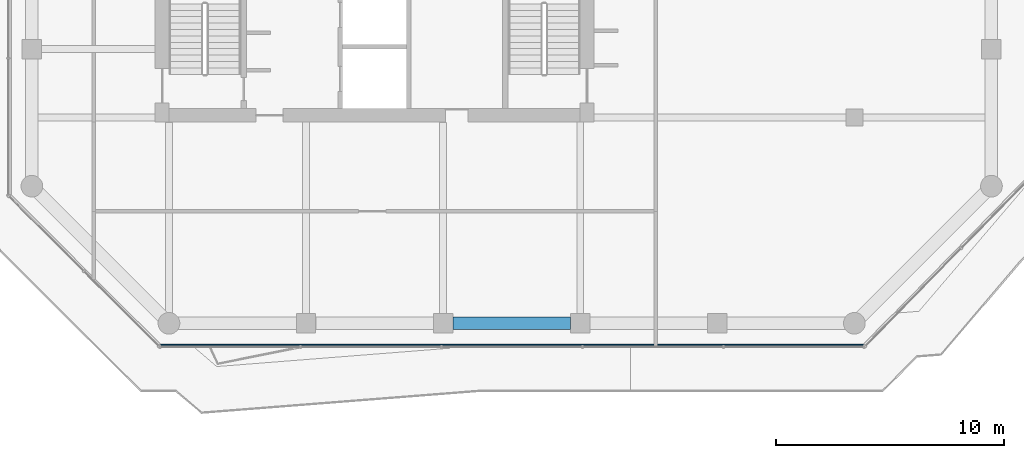
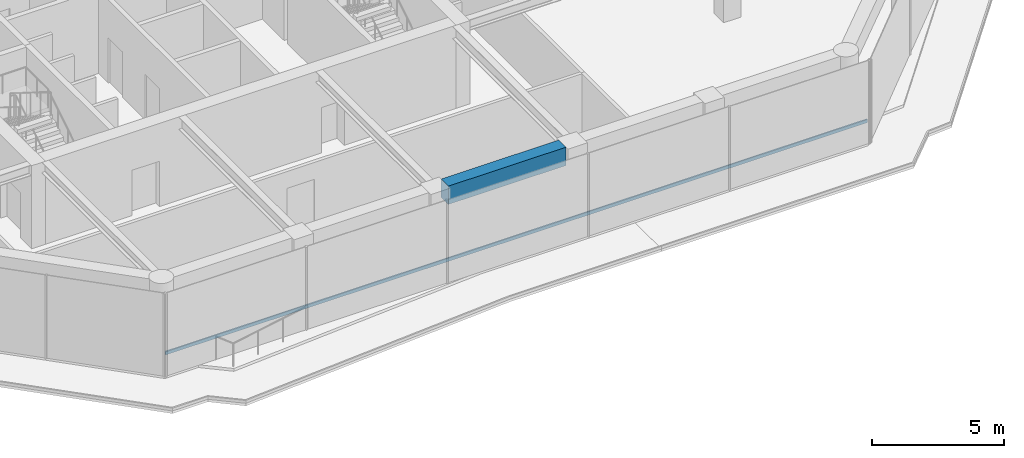
# One storey, part 3 of 23: 1 beam, 1 member, 1 element without a shape of its own.
"""IFC4 building model written with IfcOpenShell, lengths in metres."""

import ifcopenshell
import ifcopenshell.guid

model = None  # the IFC model being written
_history = None  # IfcOwnerHistory: only IFC2X3 demands one
_inside = {}  # id of a spatial element -> (the spatial element, [elements in it])
_under = {}  # id of a project, library or spatial element -> (it, [spatial elements below it])
_declared = {}  # id of a project -> (the project, [libraries it declares])
_typed = {}  # id of a type object -> (the type object, [elements of that type])
_made_of = {}  # id of a material, layer set ... -> (it, [elements and type objects made of it])


def new_model(schema):
    """Start an empty IFC model of exactly this schema.

    Asked for "IFC4X3", IfcOpenShell would pick the latest addendum, in which some entities
    have other attributes; the version numbers below select the first issue.
    IFC2X3 requires an IfcOwnerHistory on every rooted entity: one is made here for all.
    """
    global model, _history
    if schema == "IFC4X3":
        model = ifcopenshell.file(schema_version=(4, 3, 0, 0))
    else:
        model = ifcopenshell.file(schema=schema)
    _inside.clear()
    _under.clear()
    _declared.clear()
    _typed.clear()
    _made_of.clear()
    _history = None
    if model.schema == "IFC2X3":
        org = make("IfcOrganization", Name="unknown")
        user = make(
            "IfcPersonAndOrganization",
            ThePerson=make("IfcPerson", FamilyName="unknown"),
            TheOrganization=org,
        )
        app = make(
            "IfcApplication",
            ApplicationDeveloper=org,
            Version="unknown",
            ApplicationFullName="unknown",
            ApplicationIdentifier="unknown",
        )
        _history = make(
            "IfcOwnerHistory",
            OwningUser=user,
            OwningApplication=app,
            ChangeAction="ADDED",
            CreationDate=0,
        )
    return model


def make(cls, **values):
    """One entity of the class cls with the attributes given. An attribute that is None is left unset."""
    return model.create_entity(
        cls, **{name: value for name, value in values.items() if value is not None}
    )


def rooted(cls, **values):
    """An entity with a GlobalId (a new one), such as an element, a storey or a relation."""
    return make(cls, GlobalId=ifcopenshell.guid.new(), OwnerHistory=_history, **values)


def si_unit(unit_type, name, prefix=None):
    """IfcSIUnit, for example si_unit("LENGTHUNIT", "METRE", prefix="MILLI")."""
    return make("IfcSIUnit", UnitType=unit_type, Prefix=prefix, Name=name)


def assignment(units):
    """IfcUnitAssignment: the units of a project."""
    return None if units is None else make("IfcUnitAssignment", Units=units)


def point(xyz):
    """IfcCartesianPoint."""
    return None if xyz is None else make("IfcCartesianPoint", Coordinates=xyz)


def direction(xyz):
    """IfcDirection."""
    return None if xyz is None else make("IfcDirection", DirectionRatios=xyz)


def frame(location, z_axis=None, x_axis=None):
    """IfcAxis2Placement3D, a coordinate frame: its origin and axes. An axis left out is left unset."""
    return make(
        "IfcAxis2Placement3D",
        Location=point(location),
        Axis=direction(z_axis),
        RefDirection=direction(x_axis),
    )


def frame_2d(location, x_axis=None):
    """IfcAxis2Placement2D, a coordinate frame in the plane: its origin and x axis."""
    return make(
        "IfcAxis2Placement2D", Location=point(location), RefDirection=direction(x_axis)
    )


def origin():
    """The frame at (0, 0, 0) with its axes left unset."""
    return frame((0.0, 0.0, 0.0))


def origin_2d():
    """The frame at (0, 0) in the plane with its x axis left unset."""
    return frame_2d((0.0, 0.0))


def place(relative_to, where):
    """IfcLocalPlacement: puts the frame where relative to a parent placement (None: the world)."""
    return make(
        "IfcLocalPlacement", PlacementRelTo=relative_to, RelativePlacement=where
    )


def context(
    kind, dimensions, precision=None, world=None, true_north=None, identifier=None
):
    """IfcGeometricRepresentationContext, for example the 3D "Model" context."""
    return make(
        "IfcGeometricRepresentationContext",
        ContextIdentifier=identifier,
        ContextType=kind,
        CoordinateSpaceDimension=dimensions,
        Precision=precision,
        WorldCoordinateSystem=world,
        TrueNorth=true_north,
    )


def subcontext(parent, identifier, kind, view, scale=None):
    """IfcGeometricRepresentationSubContext, for example "Body" below "Model"."""
    return make(
        "IfcGeometricRepresentationSubContext",
        ContextIdentifier=identifier,
        ContextType=kind,
        ParentContext=parent,
        TargetScale=scale,
        TargetView=view,
    )


def project(units=None, contexts=None):
    """IfcProject with its units and contexts."""
    return rooted(
        "IfcProject",
        Name="project",
        RepresentationContexts=contexts,
        UnitsInContext=assignment(units),
    )


def spatial(cls, under=None, at=None, **own):
    """A site, building, storey or space (cls), placed at a placement, below another one or the project."""
    s = rooted(cls, ObjectPlacement=at, **own)
    if under is not None:
        _under.setdefault(under.id(), (under, []))[1].append(s)
    return s


def profile(cls, at=None, kind="AREA", **sizes):
    """A parametric profile (cls). Its sizes go by their IFC names, for example OverallWidth=200.0."""
    return make(cls, ProfileType=kind, Position=at, **sizes)


def rectangle(**sizes):
    """IfcRectangleProfileDef."""
    return profile("IfcRectangleProfileDef", **sizes)


def extrude(swept, where, along, depth):
    """IfcExtrudedAreaSolid: the profile swept, set in the frame where, extruded along a direction by depth."""
    return make(
        "IfcExtrudedAreaSolid",
        SweptArea=swept,
        Position=where,
        ExtrudedDirection=direction(along),
        Depth=depth,
    )


def shape(context_of_items, identifier, shape_type, items):
    """IfcShapeRepresentation: the items that make up one representation, for example the "Body"."""
    return make(
        "IfcShapeRepresentation",
        ContextOfItems=context_of_items,
        RepresentationIdentifier=identifier,
        RepresentationType=shape_type,
        Items=items,
    )


def material(Name=None, Category=None):
    """IfcMaterial."""
    return make("IfcMaterial", Name=Name, Category=Category)


def layer(
    of_material, thickness, ventilated=None, Name=None, Category=None, Priority=None
):
    """IfcMaterialLayer: one layer of a wall or slab, of a material (None: an air gap)."""
    return make(
        "IfcMaterialLayer",
        Material=of_material,
        LayerThickness=thickness,
        IsVentilated=ventilated,
        Name=Name,
        Category=Category,
        Priority=Priority,
    )


def layer_set(layers, Name=None):
    """IfcMaterialLayerSet."""
    return make("IfcMaterialLayerSet", MaterialLayers=layers, LayerSetName=Name)


def material_profile(
    of_material, cross_section, Name=None, Category=None, Priority=None
):
    """IfcMaterialProfile: a cross section and its material."""
    return make(
        "IfcMaterialProfile",
        Name=Name,
        Material=of_material,
        Profile=cross_section,
        Priority=Priority,
        Category=Category,
    )


def profile_set(profiles, Name=None, composite=None):
    """IfcMaterialProfileSet."""
    return make(
        "IfcMaterialProfileSet",
        Name=Name,
        MaterialProfiles=profiles,
        CompositeProfile=composite,
    )


def made_of(thing, what):
    """Note that an element or type object is made of a material, layer set ...; save() writes the relation."""
    if what is not None:
        _made_of.setdefault(what.id(), (what, []))[1].append(thing)
    return thing


def type_object(cls, material=None, **own):
    """A type object (cls), such as IfcWallType, which elements share."""
    return made_of(rooted(cls, **own), material)


def element(
    cls,
    number,
    at=None,
    inside=None,
    cuts=None,
    type_object=None,
    material=None,
    context=None,
    identifier="Body",
    shape_type=None,
    held_by="IfcProductDefinitionShape",
    body=None,
    shapes=None,
    **own,
):
    """One element of the class cls, such as IfcWall. Its Tag is "e" and its number.

    at: its placement. inside: the storey or other place that contains it. cuts: it is an
    opening in that element (IfcRelVoidsElement). A single representation is given by context,
    identifier, shape_type and body (its items); several are given by shapes. held_by: the class
    of the entity that holds the representations. save() writes the other relations.
    """
    e = rooted(cls, Tag="e%d" % number, ObjectPlacement=at, **own)
    if body is not None:
        shapes = [shape(context, identifier, shape_type, body)]
    if shapes is not None:
        e.Representation = make(held_by, Representations=shapes)
    if inside is not None:
        _inside.setdefault(inside.id(), (inside, []))[1].append(e)
    if cuts is not None:
        rooted(
            "IfcRelVoidsElement", RelatingBuildingElement=cuts, RelatedOpeningElement=e
        )
    if type_object is not None:
        _typed.setdefault(type_object.id(), (type_object, []))[1].append(e)
    return made_of(e, material)


def aggregate(whole, parts):
    """IfcRelAggregates: a whole, such as a stair, and the parts it consists of."""
    return rooted("IfcRelAggregates", RelatingObject=whole, RelatedObjects=parts)


def save(model, path):
    """Write the relations noted so far, then the file.

    IfcRelAggregates (storeys below a building ...), IfcRelContainedInSpatialStructure (elements
    in a storey), IfcRelDefinesByType, IfcRelAssociatesMaterial and IfcRelDeclares: one each for
    every whole, place, type object, material and project.
    """
    for whole, parts in _under.values():
        aggregate(whole, parts)
    for where, things in _inside.values():
        rooted(
            "IfcRelContainedInSpatialStructure",
            RelatedElements=things,
            RelatingStructure=where,
        )
    for kind, things in _typed.values():
        rooted("IfcRelDefinesByType", RelatedObjects=things, RelatingType=kind)
    for what, things in _made_of.values():
        rooted("IfcRelAssociatesMaterial", RelatedObjects=things, RelatingMaterial=what)
    for by, libraries in _declared.values():
        rooted("IfcRelDeclares", RelatingContext=by, RelatedDefinitions=libraries)
    model.write(path)


model = new_model("IFC4")

# Units and contexts
model_context = context("Model", 3, precision=1e-05, world=origin(), true_north=direction((0.0, 1.0)))
body_context = subcontext(model_context, "Body", "Model", "MODEL_VIEW")
ifc_project = project(units=[si_unit("LENGTHUNIT", "METRE"), si_unit("AREAUNIT", "SQUARE_METRE"), si_unit("VOLUMEUNIT", "CUBIC_METRE"), si_unit("PLANEANGLEUNIT", "RADIAN"), si_unit("MASSUNIT", "GRAM", prefix="KILO")], contexts=[model_context])

# Site, building, storey
site_placement = place(None, origin())
site = spatial("IfcSite", under=ifc_project, at=site_placement, CompositionType="ELEMENT")
building_placement = place(site_placement, origin())
building = spatial("IfcBuilding", under=site, at=building_placement, Name="Welwitschia Terrace Campus", CompositionType="ELEMENT")
storey_placement = place(building_placement, frame((0.0, 0.0, 188.60009765625)))
storey = spatial("IfcBuildingStorey", under=building, at=storey_placement, Name="L42", CompositionType="ELEMENT", Elevation=188.60009765625)

# Beam
ifc_material_1 = material(Name="Concrete C50/60", Category="concrete")
ifc_material_profile_1 = material_profile(ifc_material_1, rectangle(XDim=0.550048828125, YDim=0.85009765625, at=origin_2d()))
ifc_profile_set_1 = profile_set([ifc_material_profile_1], Name="Concrete C50/60")
beam_type = type_object("IfcBeamType", Name="Ring spandrel 550x850", PredefinedType="SPANDREL", material=ifc_profile_set_1)
beam_placement = place(storey_placement, frame((18.425537109375, -4.0, 3.4248046875), z_axis=(1.0, 0.0, 0.0), x_axis=(0.0, 1.0, 0.0)))
element("IfcBeam", 1, at=beam_placement, inside=storey, type_object=beam_type, Name="Spandrel SP3", PredefinedType="SPANDREL", context=body_context, shape_type="SweptSolid", body=[
    extrude(rectangle(XDim=0.550048828125, YDim=0.85009765625, at=origin_2d()), origin(), (0.0, 0.0, 1.0), 5.14892578125),
])

# Curtain wall, member
ifc_material_2 = material(Name="Bronze anodised aluminium", Category="aluminium")
ifc_layer = layer(ifc_material_2, 0.1201171875)
ifc_layer_set = layer_set([ifc_layer], Name="Bronze anodised aluminium")
curtain_wall_type = type_object("IfcCurtainWallType", Name="Curtain wall CW2 tower 6000", PredefinedType="NOTDEFINED", material=ifc_layer_set)
curtain_wall_placement = place(storey_placement, origin())
curtain_wall = element("IfcCurtainWall", 2, at=curtain_wall_placement, inside=storey, type_object=curtain_wall_type, Name="CW L42.3.0", PredefinedType="NOTDEFINED")
ifc_material_3 = material(Name="Bronze anodised aluminium", Category="aluminium")
ifc_material_profile_2 = material_profile(ifc_material_3, rectangle(XDim=0.06005859375, YDim=0.14990234375, at=origin_2d()))
ifc_profile_set_2 = profile_set([ifc_material_profile_2], Name="Bronze anodised aluminium")
member_type = type_object("IfcMemberType", Name="Transom 60x150", PredefinedType="USERDEFINED", material=ifc_profile_set_2)
member_placement = place(storey_placement, frame((5.63330078125, -4.93994140625, 1.0), z_axis=(1.0, 0.0, 0.0), x_axis=(0.0, 1.0, 0.0)))
member = element("IfcMember", 3, at=member_placement, type_object=member_type, Name="Transom L42.3.0", ObjectType="TRANSOM", PredefinedType="USERDEFINED", context=body_context, shape_type="SweptSolid", body=[
    extrude(rectangle(XDim=0.06005859375, YDim=0.14990234375, at=origin_2d()), origin(), (0.0, 0.0, 1.0), 30.763427734375),
])
aggregate(curtain_wall, [member])

save(model, "model.ifc")
